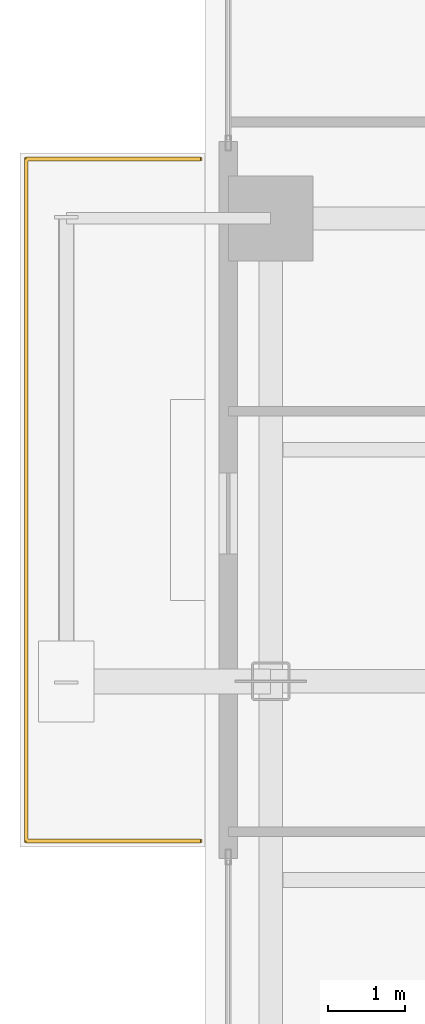
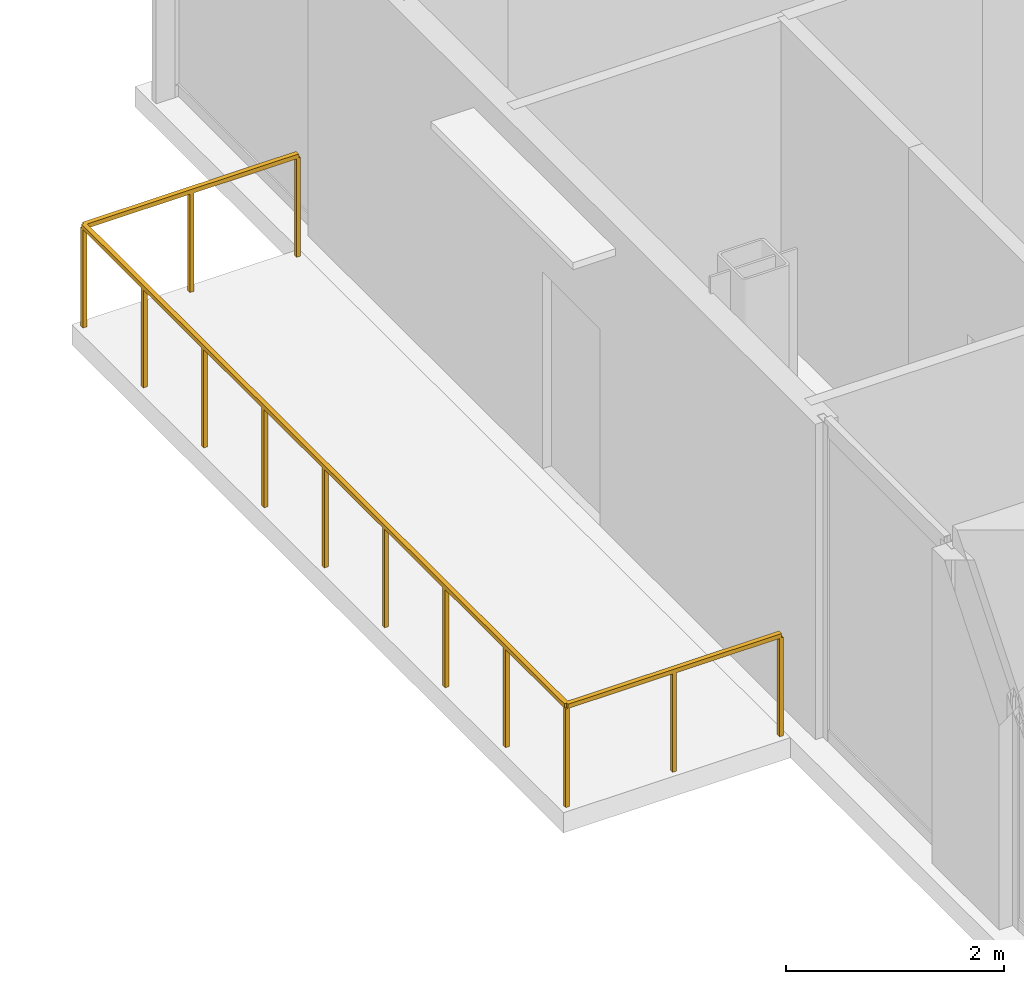
# One storey, part 28 of 28: 1 railing.
"""IFC4 building model written with IfcOpenShell, lengths in metres."""

from ifc_helpers import new_model, si_unit, direction, frame, origin, origin_2d, place, context, subcontext, project, spatial, rectangle, extrude, material, type_object, element, save


model = new_model("IFC4")

# Units and contexts
model_context = context("Model", 3, precision=1e-05, world=origin(), true_north=direction((0.0, 1.0)))
body_context = subcontext(model_context, "Body", "Model", "MODEL_VIEW")
ifc_project = project(units=[si_unit("LENGTHUNIT", "METRE"), si_unit("AREAUNIT", "SQUARE_METRE"), si_unit("VOLUMEUNIT", "CUBIC_METRE"), si_unit("PLANEANGLEUNIT", "RADIAN"), si_unit("MASSUNIT", "GRAM", prefix="KILO"), si_unit("THERMODYNAMICTEMPERATUREUNIT", "KELVIN"), si_unit("POWERUNIT", "WATT")], contexts=[model_context])

# Site, building, storey
site_placement = place(None, origin())
site = spatial("IfcSite", under=ifc_project, at=site_placement, CompositionType="ELEMENT")
building_placement = place(site_placement, origin())
building = spatial("IfcBuilding", under=site, at=building_placement, Name="Svarakhadi Broadcast Tower", CompositionType="ELEMENT")
storey_placement = place(building_placement, frame((0.0, 0.0, 103.35009765625)))
storey = spatial("IfcBuildingStorey", under=building, at=storey_placement, Name="L24", CompositionType="ELEMENT", Elevation=103.35009765625)

# Railing
ifc_material = material(Name="Laminated Structural SentryGlas Balustrade 25.5 mm", Category="glass")
railing_type = type_object("IfcRailingType", Name="Guard_Balcony_GR01", PredefinedType="BALUSTRADE", material=ifc_material)
railing_placement = place(storey_placement, frame((-0.06005859375, 27.080078125, 0.0)))
element("IfcRailing", 1, at=railing_placement, inside=storey, type_object=railing_type, Name="L24 West Tree Balcony Guard GR-05", PredefinedType="BALUSTRADE", context=body_context, shape_type="SweptSolid", body=[
    extrude(rectangle(XDim=0.048095703125, YDim=0.048095703125, at=origin_2d()), frame((0.0, 0.0, 1.1259765625), z_axis=(-1.0, 0.0, 0.0), x_axis=(0.0, -1.0, 0.0)), (0.0, 0.0, 1.0), 2.260009765625),
    extrude(rectangle(XDim=0.048095703125, YDim=0.048095703125, at=origin_2d()), frame((-2.260009765625, 0.0, 1.1259765625), z_axis=(0.0, 1.0, 0.0), x_axis=(-1.0, 0.0, 0.0)), (0.0, 0.0, 1.0), 8.83984375),
    extrude(rectangle(XDim=0.048095703125, YDim=0.048095703125, at=origin_2d()), frame((-2.260009765625, 8.83984375, 1.1259765625), z_axis=(1.0, 0.0, 0.0), x_axis=(0.0, 1.0, 0.0)), (0.0, 0.0, 1.0), 2.260009765625),
    extrude(rectangle(XDim=0.0419921875, YDim=0.0419921875, at=origin_2d()), origin(), (0.0, 0.0, 1.0), 1.101806640625),
    extrude(rectangle(XDim=0.0419921875, YDim=0.0419921875, at=origin_2d()), frame((-1.1298828125, 0.0, 0.0)), (0.0, 0.0, 1.0), 1.101806640625),
    extrude(rectangle(XDim=0.0419921875, YDim=0.0419921875, at=origin_2d()), frame((-2.260009765625, 0.0, 0.0)), (0.0, 0.0, 1.0), 1.101806640625),
    extrude(rectangle(XDim=0.0419921875, YDim=0.0419921875, at=origin_2d()), frame((-2.260009765625, 1.10498046875, 0.0)), (0.0, 0.0, 1.0), 1.101806640625),
    extrude(rectangle(XDim=0.0419921875, YDim=0.0419921875, at=origin_2d()), frame((-2.260009765625, 2.2099609375, 0.0)), (0.0, 0.0, 1.0), 1.101806640625),
    extrude(rectangle(XDim=0.0419921875, YDim=0.0419921875, at=origin_2d()), frame((-2.260009765625, 3.31494140625, 0.0)), (0.0, 0.0, 1.0), 1.101806640625),
    extrude(rectangle(XDim=0.0419921875, YDim=0.0419921875, at=origin_2d()), frame((-2.260009765625, 4.419921875, 0.0)), (0.0, 0.0, 1.0), 1.101806640625),
    extrude(rectangle(XDim=0.0419921875, YDim=0.0419921875, at=origin_2d()), frame((-2.260009765625, 5.52490234375, 0.0)), (0.0, 0.0, 1.0), 1.101806640625),
    extrude(rectangle(XDim=0.0419921875, YDim=0.0419921875, at=origin_2d()), frame((-2.260009765625, 6.6298828125, 0.0)), (0.0, 0.0, 1.0), 1.101806640625),
    extrude(rectangle(XDim=0.0419921875, YDim=0.0419921875, at=origin_2d()), frame((-2.260009765625, 7.73486328125, 0.0)), (0.0, 0.0, 1.0), 1.101806640625),
    extrude(rectangle(XDim=0.0419921875, YDim=0.0419921875, at=origin_2d()), frame((-2.260009765625, 8.83984375, 0.0)), (0.0, 0.0, 1.0), 1.101806640625),
    extrude(rectangle(XDim=0.0419921875, YDim=0.0419921875, at=origin_2d()), frame((-1.1298828125, 8.83984375, 0.0)), (0.0, 0.0, 1.0), 1.101806640625),
    extrude(rectangle(XDim=0.0419921875, YDim=0.0419921875, at=origin_2d()), frame((0.0, 8.83984375, 0.0)), (0.0, 0.0, 1.0), 1.101806640625),
])

save(model, "model.ifc")
